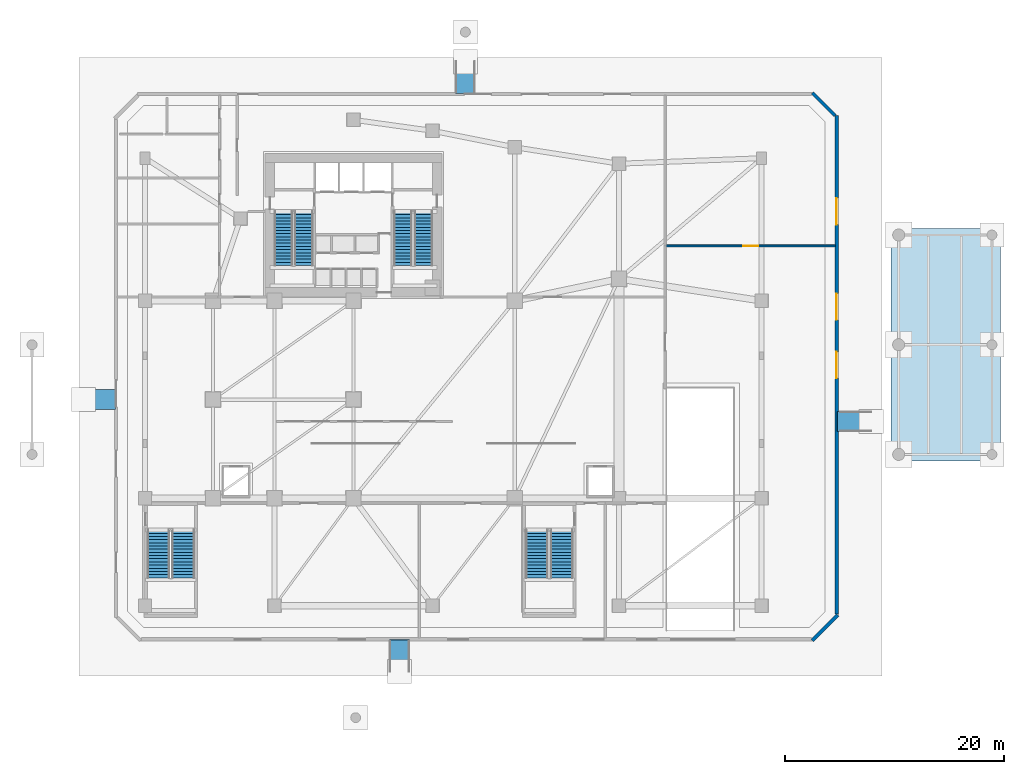
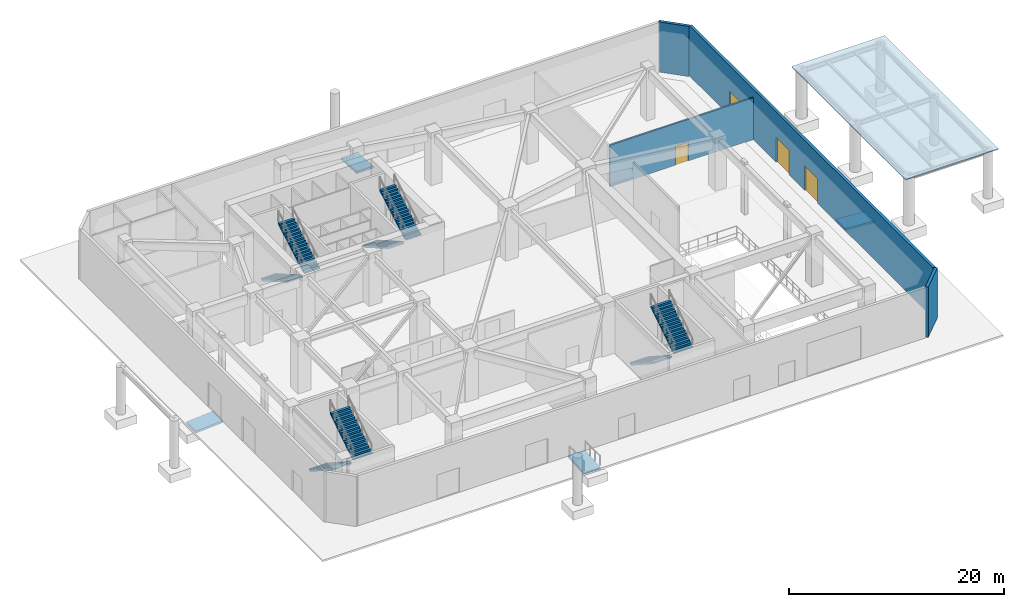
# One storey, part 6 of 13: 8 stair flights, 4 doors, 4 ramp flights, 4 walls, 1 roof, 4 openings, 8 elements without a shape of their own.
"""IFC4 building model written with IfcOpenShell, lengths in metres."""

from ifc_helpers import new_model, si_unit, direction, frame, frame_2d, origin, place, context, subcontext, project, spatial, polyline, rectangle, outline, extrude, source, transform, mapped, material, layer, layer_set, type_object, element, fill, aggregate, save


model = new_model("IFC4")

# Units and contexts
model_context = context("Model", 3, precision=1e-05, world=origin(), true_north=direction((0.0, 1.0)))
body_context = subcontext(model_context, "Body", "Model", "MODEL_VIEW")
ifc_project = project(units=[si_unit("LENGTHUNIT", "METRE"), si_unit("AREAUNIT", "SQUARE_METRE"), si_unit("VOLUMEUNIT", "CUBIC_METRE"), si_unit("PLANEANGLEUNIT", "RADIAN"), si_unit("MASSUNIT", "GRAM", prefix="KILO")], contexts=[model_context])

# Site, building, storey
site_placement = place(None, origin())
site = spatial("IfcSite", under=ifc_project, at=site_placement, CompositionType="ELEMENT")
building_placement = place(site_placement, origin())
building = spatial("IfcBuilding", under=site, at=building_placement, Name="Calvemar Wedge Station Tower", CompositionType="ELEMENT")
storey_placement = place(building_placement, origin())
storey = spatial("IfcBuildingStorey", under=building, at=storey_placement, Name="L01", CompositionType="ELEMENT", Elevation=0.0)

# Wall, opening, door
ifc_material_1 = material(Name="Double-stud fire-rated corridor partition")
ifc_layer_1 = layer(ifc_material_1, 0.179931640625)
ifc_layer_set_1 = layer_set([ifc_layer_1], Name="Double-stud fire-rated corridor partition")
wall_type_1 = type_object("IfcWallType", Name="W-CORR-180", PredefinedType="PARTITIONING", material=ifc_layer_set_1)
wall_1_placement = place(storey_placement, frame((52.2939453125, 38.0, 0.0), z_axis=(0.0, 0.0, 1.0), x_axis=(1.0, 0.0, 0.0)))
wall_1 = element("IfcWall", 1, at=wall_1_placement, inside=storey, type_object=wall_type_1, Name="Storey L01 Interior Partition WL-L01-014", PredefinedType="PARTITIONING", context=body_context, shape_type="SweptSolid", body=[
    extrude(rectangle(XDim=15.441162109375, YDim=0.179931640625, at=frame_2d((7.720703125, 0.0))), origin(), (0.0, 0.0, 1.0), 4.741943359375),
])
shared_shape_1 = source(origin(), body_context, "Body", "SweptSolid", [
    extrude(rectangle(XDim=1.39990234375, YDim=2.14990234375, at=frame_2d((0.699951171875, 1.074951171875))), frame((0.0, 0.10009765625, 0.0), z_axis=(0.0, -1.0, 0.0), x_axis=(1.0, 0.0, 0.0)), (0.0, 0.0, 1.0), 0.199951171875),
])
opening_1_placement = place(wall_1_placement, frame((7.0205078125, 0.0, 0.0)))
opening_1 = element("IfcOpeningElement", 2, at=opening_1_placement, cuts=wall_1, Name="Opening DD-140", PredefinedType="OPENING", context=body_context, shape_type="MappedRepresentation", body=[
    mapped(shared_shape_1, transform((0.0, 0.0, 0.0), scale=1.0)),
])
ifc_material_2 = material(Name="Double-leaf corridor acoustic fire door EI 60")
door_type_1 = type_object("IfcDoorType", Name="DR-DBL-1400", OperationType="DOUBLE_DOOR_SINGLE_SWING", PredefinedType="DOOR", material=ifc_material_2)
shared_shape_2 = source(origin(), body_context, "Body", "SweptSolid", [
    extrude(rectangle(XDim=1.39990234375, YDim=2.14990234375, at=frame_2d((0.699951171875, 1.074951171875))), frame((0.0, 0.02490234375, 0.0), z_axis=(0.0, -1.0, 0.0), x_axis=(1.0, 0.0, 0.0)), (0.0, 0.0, 1.0), 0.050048828125),
])
door_1_placement = place(opening_1_placement, origin())
door_1 = element("IfcDoor", 3, at=door_1_placement, inside=storey, type_object=door_type_1, Name="L01 Concourse Cafe and Bakery Door", OperationType="SINGLE_SWING_LEFT", OverallHeight=2.14990234375, OverallWidth=1.39990234375, PredefinedType="DOOR", context=body_context, shape_type="MappedRepresentation", body=[
    mapped(shared_shape_2, transform((0.0, 0.0, 0.0), scale=1.0)),
])
fill(opening_1, door_1)

# Wall
ifc_material_3 = material(Name="Precast concrete C45", Category="concrete")
ifc_layer_2 = layer(ifc_material_3, 0.300048828125)
ifc_layer_set_2 = layer_set([ifc_layer_2], Name="Precast concrete C45")
wall_type_2 = type_object("IfcWallType", Name="W-EXT-GFRC-300", PredefinedType="SOLIDWALL", material=ifc_layer_set_2)
wall_2_placement = place(storey_placement, frame((67.9560546875, 4.3681640625, 0.0), z_axis=(0.0, 0.0, 1.0), x_axis=(-0.707106781187, -0.707106781187, 0.0)))
element("IfcWall", 4, at=wall_2_placement, inside=storey, type_object=wall_type_2, Name="Storey L01 Bronze GFRC Exterior Wall 1", PredefinedType="SOLIDWALL", context=body_context, shape_type="SweptSolid", body=[
    extrude(rectangle(XDim=3.286865234375, YDim=0.300048828125, at=frame_2d((1.6435546875, 0.0))), origin(), (0.0, 0.0, 1.0), 5.699951171875),
])

# Wall, openings, doors
wall_3_placement = place(storey_placement, frame((67.85009765625, 49.887939453125, 0.0), z_axis=(0.0, 0.0, 1.0), x_axis=(0.0, -1.0, 0.0)))
wall_3 = element("IfcWall", 5, at=wall_3_placement, inside=storey, type_object=wall_type_2, Name="Storey L01 Bronze GFRC Exterior Wall 2", PredefinedType="SOLIDWALL", context=body_context, shape_type="SweptSolid", body=[
    extrude(rectangle(XDim=45.4306640625, YDim=0.300048828125, at=frame_2d((22.71533203125, 0.0))), origin(), (0.0, 0.0, 1.0), 5.699951171875),
])
shared_shape_3 = source(origin(), body_context, "Body", "SweptSolid", [
    extrude(rectangle(XDim=2.39990234375, YDim=2.800048828125, at=frame_2d((1.199951171875, 1.39990234375))), frame((0.0, 0.16015625, 0.0), z_axis=(0.0, -1.0, 0.0), x_axis=(1.0, 0.0, 0.0)), (0.0, 0.0, 1.0), 0.320068359375),
])
opening_2_placement = place(wall_3_placement, frame((21.530517578125, 0.0, 0.0)))
opening_2 = element("IfcOpeningElement", 6, at=opening_2_placement, cuts=wall_3, Name="Opening DE1", PredefinedType="OPENING", context=body_context, shape_type="MappedRepresentation", body=[
    mapped(shared_shape_3, transform((0.0, 0.0, 0.0), scale=1.0)),
])
opening_3_placement = place(wall_3_placement, frame((16.230712890625, 0.0, 0.0)))
opening_3 = element("IfcOpeningElement", 7, at=opening_3_placement, cuts=wall_3, Name="Opening DE1", PredefinedType="OPENING", context=body_context, shape_type="MappedRepresentation", body=[
    mapped(shared_shape_3, transform((0.0, 0.0, 0.0), scale=1.0)),
])
opening_4_placement = place(wall_3_placement, frame((7.530517578125, 0.0, 0.0)))
opening_4 = element("IfcOpeningElement", 8, at=opening_4_placement, cuts=wall_3, Name="Opening DE1", PredefinedType="OPENING", context=body_context, shape_type="MappedRepresentation", body=[
    mapped(shared_shape_3, transform((0.0, 0.0, 0.0), scale=1.0)),
])
ifc_material_4 = material(Name="Anodised aluminium 6063-T6", Category="aluminium")
door_type_2 = type_object("IfcDoorType", Name="DR-ENT-2400", OperationType="DOUBLE_DOOR_SINGLE_SWING", PredefinedType="DOOR", material=ifc_material_4)
shared_shape_4 = source(origin(), body_context, "Body", "SweptSolid", [
    extrude(rectangle(XDim=2.39990234375, YDim=2.800048828125, at=frame_2d((1.199951171875, 1.39990234375))), frame((0.0, 0.02490234375, 0.0), z_axis=(0.0, -1.0, 0.0), x_axis=(1.0, 0.0, 0.0)), (0.0, 0.0, 1.0), 0.050048828125),
])
door_2_placement = place(opening_2_placement, origin())
door_2 = element("IfcDoor", 9, at=door_2_placement, inside=storey, type_object=door_type_2, Name="East Avenida Brasil Station Main Entrance Door", OperationType="DOUBLE_DOOR_SINGLE_SWING", OverallHeight=2.800048828125, OverallWidth=2.39990234375, PredefinedType="DOOR", context=body_context, shape_type="MappedRepresentation", body=[
    mapped(shared_shape_4, transform((0.0, 0.0, 0.0), scale=1.0)),
])
fill(opening_2, door_2)
door_3_placement = place(opening_3_placement, origin())
door_3 = element("IfcDoor", 10, at=door_3_placement, inside=storey, type_object=door_type_2, Name="East Ticket Hall Plaza Exit Door", OperationType="DOUBLE_DOOR_SINGLE_SWING", OverallHeight=2.800048828125, OverallWidth=2.39990234375, PredefinedType="DOOR", context=body_context, shape_type="MappedRepresentation", body=[
    mapped(shared_shape_4, transform((0.0, 0.0, 0.0), scale=1.0)),
])
fill(opening_3, door_3)
door_4_placement = place(opening_4_placement, origin())
door_4 = element("IfcDoor", 11, at=door_4_placement, inside=storey, type_object=door_type_2, Name="East Concourse Cafe Forecourt Entrance Door", OperationType="DOUBLE_DOOR_SINGLE_SWING", OverallHeight=2.800048828125, OverallWidth=2.39990234375, PredefinedType="DOOR", context=body_context, shape_type="MappedRepresentation", body=[
    mapped(shared_shape_4, transform((0.0, 0.0, 0.0), scale=1.0)),
])
fill(opening_4, door_4)

# Wall
wall_4_placement = place(storey_placement, frame((65.6318359375, 51.9560546875, 0.0), z_axis=(0.0, 0.0, 1.0), x_axis=(0.707106781187, -0.707106781187, 0.0)))
element("IfcWall", 12, at=wall_4_placement, inside=storey, type_object=wall_type_2, Name="Storey L01 Bronze GFRC Exterior Wall 3", PredefinedType="SOLIDWALL", context=body_context, shape_type="SweptSolid", body=[
    extrude(rectangle(XDim=2.941650390625, YDim=0.300048828125, at=frame_2d((1.470703125, 0.0))), origin(), (0.0, 0.0, 1.0), 5.699951171875),
])

# Stair, stair flights
ifc_material_5 = material(Name="Concrete C45", Category="concrete")
stair_type_1 = type_object("IfcStairType", Name="ST-TYPE-6000", PredefinedType="HALF_TURN_STAIR", material=ifc_material_5)
stair_1_placement = place(storey_placement, origin())
stair_1 = element("IfcStair", 13, at=stair_1_placement, inside=storey, type_object=stair_type_1, Name="L01 Pressurized Core Exit Stair ST-C1", PredefinedType="HALF_TURN_STAIR")
stair_flight_type_1 = type_object("IfcStairFlightType", Name="STF-TYPE-6000", PredefinedType="STRAIGHT", material=ifc_material_5)
stair_flight_1_placement = place(storey_placement, frame((17.429931640625, 41.14990234375, 0.0), z_axis=(0.0, 0.0, 1.0), x_axis=(0.0, -1.0, 0.0)))
stair_flight_1 = element("IfcStairFlight", 14, at=stair_flight_1_placement, type_object=stair_flight_type_1, Name="ST-C1 flight 1", NumberOfRisers=18, NumberOfTreads=17, PredefinedType="STRAIGHT", RiserHeight=0.166666667, TreadLength=0.29, context=body_context, shape_type="SweptSolid", body=[
    extrude(outline(polyline([(0.0, 0.0), (0.0, 0.166748046875), (0.2900390625, 0.166748046875), (0.2900390625, 0.333251953125), (0.580078125, 0.333251953125), (0.580078125, 0.5), (0.8701171875, 0.5), (0.8701171875, 0.666748046875), (1.159912109375, 0.666748046875), (1.159912109375, 0.833251953125), (1.449951171875, 0.833251953125), (1.449951171875, 1.0), (1.739990234375, 1.0), (1.739990234375, 1.166748046875), (2.030029296875, 1.166748046875), (2.030029296875, 1.333251953125), (2.320068359375, 1.333251953125), (2.320068359375, 1.5), (2.610107421875, 1.5), (2.610107421875, 1.666748046875), (2.89990234375, 1.666748046875), (2.89990234375, 1.833251953125), (3.18994140625, 1.833251953125), (3.18994140625, 2.0), (3.47998046875, 2.0), (3.47998046875, 2.166748046875), (3.77001953125, 2.166748046875), (3.77001953125, 2.333251953125), (4.06005859375, 2.333251953125), (4.06005859375, 2.5), (4.35009765625, 2.5), (4.35009765625, 2.666748046875), (4.639892578125, 2.666748046875), (4.639892578125, 2.833251953125), (4.929931640625, 2.833251953125), (4.929931640625, 3.0), (4.929931640625, 2.660400390625), (0.30078125, 0.0), (0.0, 0.0)])), frame((0.0, 0.830078125, 0.0), z_axis=(0.0, -1.0, 0.0), x_axis=(1.0, 0.0, 0.0)), (0.0, 0.0, 1.0), 1.659912109375),
])
stair_flight_2_placement = place(storey_placement, frame((19.27001953125, 36.219970703125, 3.0), z_axis=(0.0, 0.0, 1.0), x_axis=(0.0, 1.0, 0.0)))
stair_flight_2 = element("IfcStairFlight", 15, at=stair_flight_2_placement, type_object=stair_flight_type_1, Name="ST-C1 flight 2", NumberOfRisers=18, NumberOfTreads=17, PredefinedType="STRAIGHT", RiserHeight=0.166666667, TreadLength=0.29, context=body_context, shape_type="SweptSolid", body=[
    extrude(outline(polyline([(0.0, 0.0), (0.0, 0.166748046875), (0.2900390625, 0.166748046875), (0.2900390625, 0.333251953125), (0.580078125, 0.333251953125), (0.580078125, 0.5), (0.8701171875, 0.5), (0.8701171875, 0.666748046875), (1.159912109375, 0.666748046875), (1.159912109375, 0.833251953125), (1.449951171875, 0.833251953125), (1.449951171875, 1.0), (1.739990234375, 1.0), (1.739990234375, 1.166748046875), (2.030029296875, 1.166748046875), (2.030029296875, 1.333251953125), (2.320068359375, 1.333251953125), (2.320068359375, 1.5), (2.610107421875, 1.5), (2.610107421875, 1.666748046875), (2.89990234375, 1.666748046875), (2.89990234375, 1.833251953125), (3.18994140625, 1.833251953125), (3.18994140625, 2.0), (3.47998046875, 2.0), (3.47998046875, 2.166748046875), (3.77001953125, 2.166748046875), (3.77001953125, 2.333251953125), (4.06005859375, 2.333251953125), (4.06005859375, 2.5), (4.35009765625, 2.5), (4.35009765625, 2.666748046875), (4.639892578125, 2.666748046875), (4.639892578125, 2.833251953125), (4.929931640625, 2.833251953125), (4.929931640625, 3.0), (4.929931640625, 2.660400390625), (0.30078125, 0.0), (0.0, 0.0)])), frame((0.0, 0.830078125, 0.0), z_axis=(0.0, -1.0, 0.0), x_axis=(1.0, 0.0, 0.0)), (0.0, 0.0, 1.0), 1.659912109375),
])
aggregate(stair_1, [stair_flight_1, stair_flight_2])

stair_2_placement = place(storey_placement, origin())
stair_2 = element("IfcStair", 16, at=stair_2_placement, inside=storey, type_object=stair_type_1, Name="L01 Pressurized Core Exit Stair ST-C2", PredefinedType="HALF_TURN_STAIR")
stair_flight_3_placement = place(storey_placement, frame((28.330078125, 41.14990234375, 0.0), z_axis=(0.0, 0.0, 1.0), x_axis=(0.0, -1.0, 0.0)))
stair_flight_3 = element("IfcStairFlight", 17, at=stair_flight_3_placement, type_object=stair_flight_type_1, Name="ST-C2 flight 1", NumberOfRisers=18, NumberOfTreads=17, PredefinedType="STRAIGHT", RiserHeight=0.166666667, TreadLength=0.29, context=body_context, shape_type="SweptSolid", body=[
    extrude(outline(polyline([(0.0, 0.0), (0.0, 0.166748046875), (0.2900390625, 0.166748046875), (0.2900390625, 0.333251953125), (0.580078125, 0.333251953125), (0.580078125, 0.5), (0.8701171875, 0.5), (0.8701171875, 0.666748046875), (1.159912109375, 0.666748046875), (1.159912109375, 0.833251953125), (1.449951171875, 0.833251953125), (1.449951171875, 1.0), (1.739990234375, 1.0), (1.739990234375, 1.166748046875), (2.030029296875, 1.166748046875), (2.030029296875, 1.333251953125), (2.320068359375, 1.333251953125), (2.320068359375, 1.5), (2.610107421875, 1.5), (2.610107421875, 1.666748046875), (2.89990234375, 1.666748046875), (2.89990234375, 1.833251953125), (3.18994140625, 1.833251953125), (3.18994140625, 2.0), (3.47998046875, 2.0), (3.47998046875, 2.166748046875), (3.77001953125, 2.166748046875), (3.77001953125, 2.333251953125), (4.06005859375, 2.333251953125), (4.06005859375, 2.5), (4.35009765625, 2.5), (4.35009765625, 2.666748046875), (4.639892578125, 2.666748046875), (4.639892578125, 2.833251953125), (4.929931640625, 2.833251953125), (4.929931640625, 3.0), (4.929931640625, 2.660400390625), (0.30078125, 0.0), (0.0, 0.0)])), frame((0.0, 0.830078125, 0.0), z_axis=(0.0, -1.0, 0.0), x_axis=(1.0, 0.0, 0.0)), (0.0, 0.0, 1.0), 1.659912109375),
])
stair_flight_4_placement = place(storey_placement, frame((30.169921875, 36.219970703125, 3.0), z_axis=(0.0, 0.0, 1.0), x_axis=(0.0, 1.0, 0.0)))
stair_flight_4 = element("IfcStairFlight", 18, at=stair_flight_4_placement, type_object=stair_flight_type_1, Name="ST-C2 flight 2", NumberOfRisers=18, NumberOfTreads=17, PredefinedType="STRAIGHT", RiserHeight=0.166666667, TreadLength=0.29, context=body_context, shape_type="SweptSolid", body=[
    extrude(outline(polyline([(0.0, 0.0), (0.0, 0.166748046875), (0.2900390625, 0.166748046875), (0.2900390625, 0.333251953125), (0.580078125, 0.333251953125), (0.580078125, 0.5), (0.8701171875, 0.5), (0.8701171875, 0.666748046875), (1.159912109375, 0.666748046875), (1.159912109375, 0.833251953125), (1.449951171875, 0.833251953125), (1.449951171875, 1.0), (1.739990234375, 1.0), (1.739990234375, 1.166748046875), (2.030029296875, 1.166748046875), (2.030029296875, 1.333251953125), (2.320068359375, 1.333251953125), (2.320068359375, 1.5), (2.610107421875, 1.5), (2.610107421875, 1.666748046875), (2.89990234375, 1.666748046875), (2.89990234375, 1.833251953125), (3.18994140625, 1.833251953125), (3.18994140625, 2.0), (3.47998046875, 2.0), (3.47998046875, 2.166748046875), (3.77001953125, 2.166748046875), (3.77001953125, 2.333251953125), (4.06005859375, 2.333251953125), (4.06005859375, 2.5), (4.35009765625, 2.5), (4.35009765625, 2.666748046875), (4.639892578125, 2.666748046875), (4.639892578125, 2.833251953125), (4.929931640625, 2.833251953125), (4.929931640625, 3.0), (4.929931640625, 2.660400390625), (0.30078125, 0.0), (0.0, 0.0)])), frame((0.0, 0.830078125, 0.0), z_axis=(0.0, -1.0, 0.0), x_axis=(1.0, 0.0, 0.0)), (0.0, 0.0, 1.0), 1.659912109375),
])
aggregate(stair_2, [stair_flight_3, stair_flight_4])

stair_type_2 = type_object("IfcStairType", Name="ST-TYPE-POD6000", PredefinedType="HALF_TURN_STAIR", material=ifc_material_5)
stair_3_placement = place(storey_placement, origin())
stair_3 = element("IfcStair", 19, at=stair_3_placement, inside=storey, type_object=stair_type_2, Name="L01 Station Podium Exit Stair ST-P1", PredefinedType="HALF_TURN_STAIR")
stair_flight_type_2 = type_object("IfcStairFlightType", Name="STF-TYPE-POD6000", PredefinedType="STRAIGHT", material=ifc_material_5)
stair_flight_5_placement = place(storey_placement, frame((6.02490234375, 12.10009765625, 0.0), z_axis=(0.0, 0.0, 1.0), x_axis=(0.0, -1.0, 0.0)))
stair_flight_5 = element("IfcStairFlight", 20, at=stair_flight_5_placement, type_object=stair_flight_type_2, Name="ST-P1 flight 1", NumberOfRisers=16, NumberOfTreads=15, PredefinedType="STRAIGHT", RiserHeight=0.1875, TreadLength=0.29, context=body_context, shape_type="SweptSolid", body=[
    extrude(outline(polyline([(0.0, 0.0), (0.0, 0.1875), (0.2900390625, 0.1875), (0.2900390625, 0.375), (0.580078125, 0.375), (0.580078125, 0.5625), (0.8701171875, 0.5625), (0.8701171875, 0.75), (1.159912109375, 0.75), (1.159912109375, 0.9375), (1.449951171875, 0.9375), (1.449951171875, 1.125), (1.739990234375, 1.125), (1.739990234375, 1.3125), (2.030029296875, 1.3125), (2.030029296875, 1.5), (2.320068359375, 1.5), (2.320068359375, 1.6875), (2.610107421875, 1.6875), (2.610107421875, 1.875), (2.89990234375, 1.875), (2.89990234375, 2.0625), (3.18994140625, 2.0625), (3.18994140625, 2.25), (3.47998046875, 2.25), (3.47998046875, 2.4375), (3.77001953125, 2.4375), (3.77001953125, 2.625), (4.06005859375, 2.625), (4.06005859375, 2.8125), (4.35009765625, 2.8125), (4.35009765625, 3.0), (4.35009765625, 2.634033203125), (0.276123046875, 0.0), (0.0, 0.0)])), frame((0.0, 1.02490234375, 0.0), z_axis=(0.0, -1.0, 0.0), x_axis=(1.0, 0.0, 0.0)), (0.0, 0.0, 1.0), 2.050048828125),
])
stair_flight_6_placement = place(storey_placement, frame((8.27490234375, 7.75, 3.0), z_axis=(0.0, 0.0, 1.0), x_axis=(0.0, 1.0, 0.0)))
stair_flight_6 = element("IfcStairFlight", 21, at=stair_flight_6_placement, type_object=stair_flight_type_2, Name="ST-P1 flight 2", NumberOfRisers=16, NumberOfTreads=15, PredefinedType="STRAIGHT", RiserHeight=0.1875, TreadLength=0.29, context=body_context, shape_type="SweptSolid", body=[
    extrude(outline(polyline([(0.0, 0.0), (0.0, 0.1875), (0.2900390625, 0.1875), (0.2900390625, 0.375), (0.580078125, 0.375), (0.580078125, 0.5625), (0.8701171875, 0.5625), (0.8701171875, 0.75), (1.159912109375, 0.75), (1.159912109375, 0.9375), (1.449951171875, 0.9375), (1.449951171875, 1.125), (1.739990234375, 1.125), (1.739990234375, 1.3125), (2.030029296875, 1.3125), (2.030029296875, 1.5), (2.320068359375, 1.5), (2.320068359375, 1.6875), (2.610107421875, 1.6875), (2.610107421875, 1.875), (2.89990234375, 1.875), (2.89990234375, 2.0625), (3.18994140625, 2.0625), (3.18994140625, 2.25), (3.47998046875, 2.25), (3.47998046875, 2.4375), (3.77001953125, 2.4375), (3.77001953125, 2.625), (4.06005859375, 2.625), (4.06005859375, 2.8125), (4.35009765625, 2.8125), (4.35009765625, 3.0), (4.35009765625, 2.634033203125), (0.276123046875, 0.0), (0.0, 0.0)])), frame((0.0, 1.02490234375, 0.0), z_axis=(0.0, -1.0, 0.0), x_axis=(1.0, 0.0, 0.0)), (0.0, 0.0, 1.0), 2.050048828125),
])
aggregate(stair_3, [stair_flight_5, stair_flight_6])

stair_4_placement = place(storey_placement, origin())
stair_4 = element("IfcStair", 22, at=stair_4_placement, inside=storey, type_object=stair_type_2, Name="L01 Station Podium Exit Stair ST-P2", PredefinedType="HALF_TURN_STAIR")
stair_flight_7_placement = place(storey_placement, frame((40.52490234375, 12.10009765625, 0.0), z_axis=(0.0, 0.0, 1.0), x_axis=(0.0, -1.0, 0.0)))
stair_flight_7 = element("IfcStairFlight", 23, at=stair_flight_7_placement, type_object=stair_flight_type_2, Name="ST-P2 flight 1", NumberOfRisers=16, NumberOfTreads=15, PredefinedType="STRAIGHT", RiserHeight=0.1875, TreadLength=0.29, context=body_context, shape_type="SweptSolid", body=[
    extrude(outline(polyline([(0.0, 0.0), (0.0, 0.1875), (0.2900390625, 0.1875), (0.2900390625, 0.375), (0.580078125, 0.375), (0.580078125, 0.5625), (0.8701171875, 0.5625), (0.8701171875, 0.75), (1.159912109375, 0.75), (1.159912109375, 0.9375), (1.449951171875, 0.9375), (1.449951171875, 1.125), (1.739990234375, 1.125), (1.739990234375, 1.3125), (2.030029296875, 1.3125), (2.030029296875, 1.5), (2.320068359375, 1.5), (2.320068359375, 1.6875), (2.610107421875, 1.6875), (2.610107421875, 1.875), (2.89990234375, 1.875), (2.89990234375, 2.0625), (3.18994140625, 2.0625), (3.18994140625, 2.25), (3.47998046875, 2.25), (3.47998046875, 2.4375), (3.77001953125, 2.4375), (3.77001953125, 2.625), (4.06005859375, 2.625), (4.06005859375, 2.8125), (4.35009765625, 2.8125), (4.35009765625, 3.0), (4.35009765625, 2.634033203125), (0.276123046875, 0.0), (0.0, 0.0)])), frame((0.0, 1.02490234375, 0.0), z_axis=(0.0, -1.0, 0.0), x_axis=(1.0, 0.0, 0.0)), (0.0, 0.0, 1.0), 2.050048828125),
])
stair_flight_8_placement = place(storey_placement, frame((42.77490234375, 7.75, 3.0), z_axis=(0.0, 0.0, 1.0), x_axis=(0.0, 1.0, 0.0)))
stair_flight_8 = element("IfcStairFlight", 24, at=stair_flight_8_placement, type_object=stair_flight_type_2, Name="ST-P2 flight 2", NumberOfRisers=16, NumberOfTreads=15, PredefinedType="STRAIGHT", RiserHeight=0.1875, TreadLength=0.29, context=body_context, shape_type="SweptSolid", body=[
    extrude(outline(polyline([(0.0, 0.0), (0.0, 0.1875), (0.2900390625, 0.1875), (0.2900390625, 0.375), (0.580078125, 0.375), (0.580078125, 0.5625), (0.8701171875, 0.5625), (0.8701171875, 0.75), (1.159912109375, 0.75), (1.159912109375, 0.9375), (1.449951171875, 0.9375), (1.449951171875, 1.125), (1.739990234375, 1.125), (1.739990234375, 1.3125), (2.030029296875, 1.3125), (2.030029296875, 1.5), (2.320068359375, 1.5), (2.320068359375, 1.6875), (2.610107421875, 1.6875), (2.610107421875, 1.875), (2.89990234375, 1.875), (2.89990234375, 2.0625), (3.18994140625, 2.0625), (3.18994140625, 2.25), (3.47998046875, 2.25), (3.47998046875, 2.4375), (3.77001953125, 2.4375), (3.77001953125, 2.625), (4.06005859375, 2.625), (4.06005859375, 2.8125), (4.35009765625, 2.8125), (4.35009765625, 3.0), (4.35009765625, 2.634033203125), (0.276123046875, 0.0), (0.0, 0.0)])), frame((0.0, 1.02490234375, 0.0), z_axis=(0.0, -1.0, 0.0), x_axis=(1.0, 0.0, 0.0)), (0.0, 0.0, 1.0), 2.050048828125),
])
aggregate(stair_4, [stair_flight_7, stair_flight_8])

# Ramp, ramp flight
ifc_layer_3 = layer(ifc_material_5, 0.239990234375)
ifc_layer_set_3 = layer_set([ifc_layer_3], Name="Concrete C45")
ramp_type = type_object("IfcRampType", Name="RAMP-PED-1", PredefinedType="STRAIGHT_RUN_RAMP", material=ifc_layer_set_3)
ramp_1_placement = place(storey_placement, origin())
ramp_1 = element("IfcRamp", 25, at=ramp_1_placement, inside=storey, type_object=ramp_type, Name="East Forecourt Accessible Entry Ramp", PredefinedType="STRAIGHT_RUN_RAMP")
ifc_layer_4 = layer(ifc_material_5, 0.239990234375)
ifc_layer_set_4 = layer_set([ifc_layer_4], Name="Concrete C45")
ramp_flight_type = type_object("IfcRampFlightType", Name="RFL-PED-240", PredefinedType="STRAIGHT", material=ifc_layer_set_4)
ramp_flight_1_placement = place(storey_placement, frame((71.0, 22.89990234375, -0.199951171875), z_axis=(0.064364605584, 0.0, 0.997926448967), x_axis=(-0.997926448967, 0.0, 0.064364605584)))
ramp_flight_1 = element("IfcRampFlight", 26, at=ramp_flight_1_placement, type_object=ramp_flight_type, Name="East Forecourt Accessible Entry Ramp Flight", PredefinedType="STRAIGHT", context=body_context, shape_type="SweptSolid", body=[
    extrude(outline(polyline([(0.0, 0.0), (3.1065392238664766, 0.0), (3.1065392238664766, 0.224853515625), (3.1065392238664766, 0.449951171875), (3.1065392238664766, 0.6748046875), (3.1065392238664766, 0.89990234375), (3.1065392238664766, 1.125), (3.1065392238664766, 1.349853515625), (3.1065392238664766, 1.574951171875), (3.1065392238664766, 1.7998046875), (0.0, 1.7998046875), (0.0, 1.574951171875), (0.0, 1.349853515625), (0.0, 1.125), (0.0, 0.89990234375), (0.0, 0.6748046875), (0.0, 0.449951171875), (0.0, 0.224853515625), (0.0, 0.0)])), origin(), (0.0, 0.0, -1.0), 0.239990234375),
])
aggregate(ramp_1, [ramp_flight_1])

ramp_2_placement = place(storey_placement, origin())
ramp_2 = element("IfcRamp", 27, at=ramp_2_placement, inside=storey, type_object=ramp_type, Name="South Drop-Off Accessible Entry Ramp", PredefinedType="STRAIGHT_RUN_RAMP")
ramp_flight_2_placement = place(storey_placement, frame((28.89990234375, -0.800048828125, -0.199951171875), z_axis=(0.0, -0.068781915851, 0.99763171965), x_axis=(0.0, 0.99763171965, 0.068781915851)))
ramp_flight_2 = element("IfcRampFlight", 28, at=ramp_flight_2_placement, type_object=ramp_flight_type, Name="South Drop-Off Accessible Entry Ramp Flight", PredefinedType="STRAIGHT", context=body_context, shape_type="SweptSolid", body=[
    extrude(outline(polyline([(0.0, 0.0), (2.9070311491222207, 0.0), (2.9070311491222207, 0.22485351562500006), (2.9070311491222207, 0.4499511718750001), (2.9070311491222207, 0.6748046875000001), (2.9070311491222207, 0.8999023437500002), (2.9070311491222207, 1.1250000000000002), (2.9070311491222207, 1.3498535156250002), (2.9070311491222207, 1.5749511718750004), (2.9070311491222207, 1.7998046875000004), (0.0, 1.7998046875000004), (0.0, 1.5749511718750004), (0.0, 1.3498535156250002), (0.0, 1.1250000000000002), (0.0, 0.8999023437500002), (0.0, 0.6748046875000001), (0.0, 0.4499511718750001), (0.0, 0.22485351562500006), (0.0, 0.0)])), origin(), (0.0, 0.0, -1.0), 0.239990234375),
])
aggregate(ramp_2, [ramp_flight_2])

ramp_3_placement = place(storey_placement, origin())
ramp_3 = element("IfcRamp", 29, at=ramp_3_placement, inside=storey, type_object=ramp_type, Name="North Boulevard Accessible Entry Ramp", PredefinedType="STRAIGHT_RUN_RAMP")
ramp_flight_3_placement = place(storey_placement, frame((33.10009765625, 54.800048828125, -0.199951171875), z_axis=(0.0, 0.068781915851, 0.99763171965), x_axis=(0.0, -0.99763171965, 0.068781915851)))
ramp_flight_3 = element("IfcRampFlight", 30, at=ramp_flight_3_placement, type_object=ramp_flight_type, Name="North Boulevard Accessible Entry Ramp Flight", PredefinedType="STRAIGHT", context=body_context, shape_type="SweptSolid", body=[
    extrude(outline(polyline([(0.0, 0.0), (2.9070311491222207, 0.0), (2.9070311491222207, 0.22485351562500006), (2.9070311491222207, 0.4499511718750001), (2.9070311491222207, 0.6748046875000001), (2.9070311491222207, 0.8999023437500002), (2.9070311491222207, 1.1250000000000002), (2.9070311491222207, 1.3498535156250002), (2.9070311491222207, 1.5749511718750004), (2.9070311491222207, 1.7998046875000004), (0.0, 1.7998046875000004), (0.0, 1.5749511718750004), (0.0, 1.3498535156250002), (0.0, 1.1250000000000002), (0.0, 0.8999023437500002), (0.0, 0.6748046875000001), (0.0, 0.4499511718750001), (0.0, 0.22485351562500006), (0.0, 0.0)])), origin(), (0.0, 0.0, -1.0), 0.239990234375),
])
aggregate(ramp_3, [ramp_flight_3])

ramp_4_placement = place(storey_placement, origin())
ramp_4 = element("IfcRamp", 31, at=ramp_4_placement, inside=storey, type_object=ramp_type, Name="West VLT Plaza Accessible Entry Ramp", PredefinedType="STRAIGHT_RUN_RAMP")
ramp_flight_4_placement = place(storey_placement, frame((-0.800048828125, 23.10009765625, -0.199951171875), z_axis=(-0.068781915851, 0.0, 0.99763171965), x_axis=(0.99763171965, 0.0, 0.068781915851)))
ramp_flight_4 = element("IfcRampFlight", 32, at=ramp_flight_4_placement, type_object=ramp_flight_type, Name="West VLT Plaza Accessible Entry Ramp Flight", PredefinedType="STRAIGHT", context=body_context, shape_type="SweptSolid", body=[
    extrude(outline(polyline([(0.0, 0.0), (2.9070311491222207, 0.0), (2.9070311491222207, 0.22485351562500006), (2.9070311491222207, 0.4499511718750001), (2.9070311491222207, 0.6748046875000001), (2.9070311491222207, 0.8999023437500002), (2.9070311491222207, 1.1250000000000002), (2.9070311491222207, 1.3498535156250002), (2.9070311491222207, 1.5749511718750004), (2.9070311491222207, 1.7998046875000004), (0.0, 1.7998046875000004), (0.0, 1.5749511718750004), (0.0, 1.3498535156250002), (0.0, 1.1250000000000002), (0.0, 0.8999023437500002), (0.0, 0.6748046875000001), (0.0, 0.4499511718750001), (0.0, 0.22485351562500006), (0.0, 0.0)])), origin(), (0.0, 0.0, -1.0), 0.239990234375),
])
aggregate(ramp_4, [ramp_flight_4])

# Roof
ifc_layer_5 = layer(ifc_material_3, 0.1201171875)
ifc_layer_set_5 = layer_set([ifc_layer_5], Name="Precast concrete C45")
roof_type = type_object("IfcRoofType", Name="ROOF-CROWN-300", PredefinedType="SHED_ROOF", material=ifc_layer_set_5)
roof_placement = place(storey_placement, frame((0.0, 0.0, 5.39990234375)))
element("IfcRoof", 33, at=roof_placement, inside=storey, type_object=roof_type, Name="East Transit Concourse Canopy Roof", PredefinedType="SHED_ROOF", context=body_context, shape_type="SweptSolid", body=[
    extrude(outline(polyline([(72.800048828125, 18.39990234375), (82.800048828125, 18.39990234375), (82.800048828125, 39.60009765625), (72.800048828125, 39.60009765625), (72.800048828125, 18.39990234375)])), origin(), (0.0, 0.0, 1.0), 0.1201171875),
])

save(model, "model.ifc")
